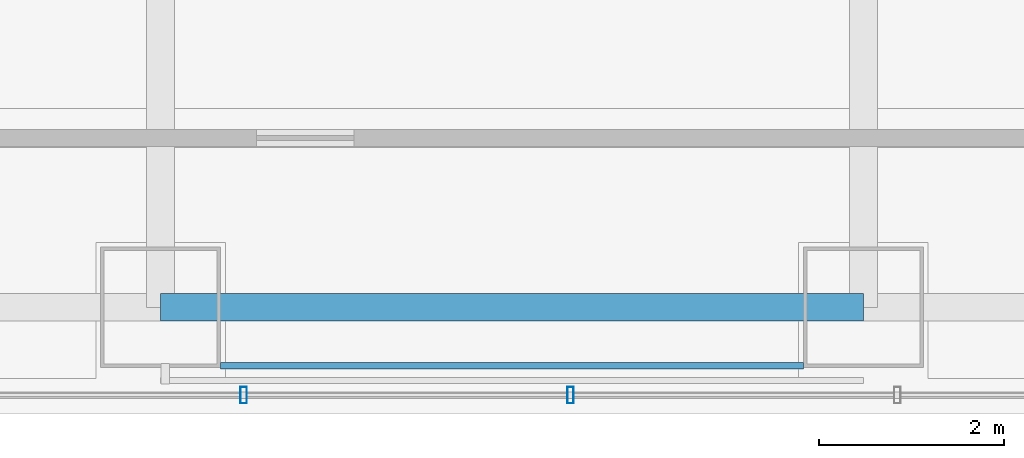
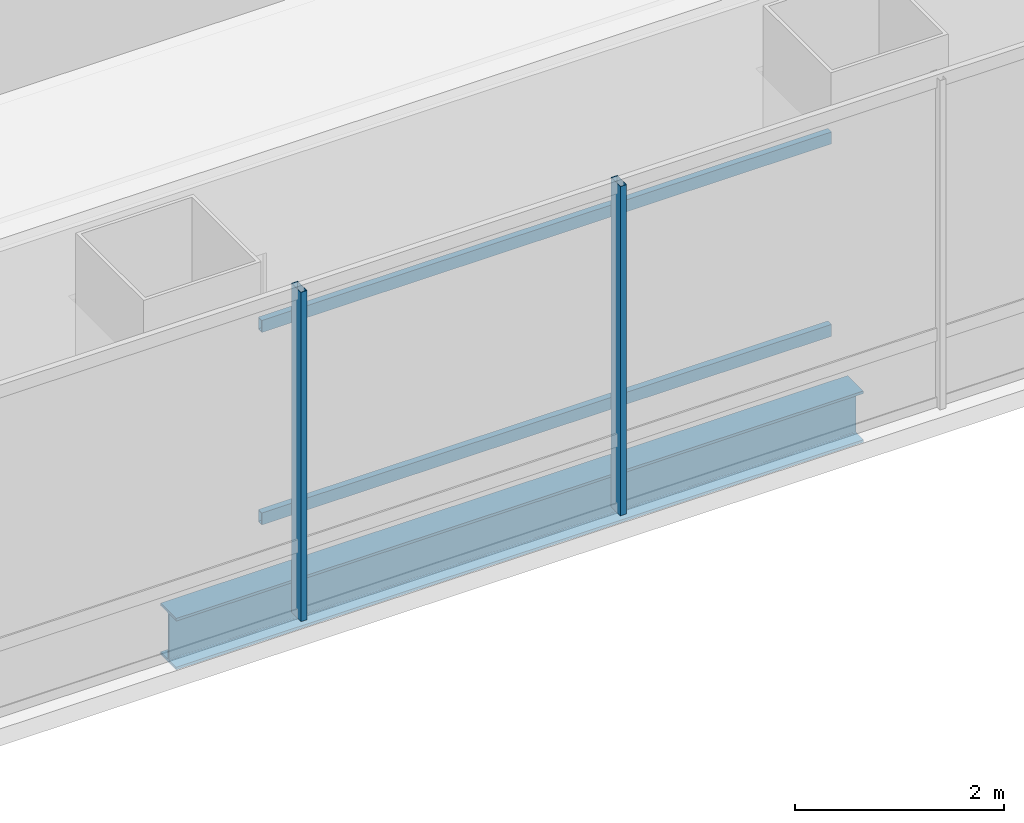
# One storey, part 6 of 40: 4 members, 1 beam, 1 element without a shape of its own.
"""IFC4 building model written with IfcOpenShell, lengths in metres."""

import ifcopenshell
import ifcopenshell.guid

model = None  # the IFC model being written
_history = None  # IfcOwnerHistory: only IFC2X3 demands one
_inside = {}  # id of a spatial element -> (the spatial element, [elements in it])
_under = {}  # id of a project, library or spatial element -> (it, [spatial elements below it])
_declared = {}  # id of a project -> (the project, [libraries it declares])
_typed = {}  # id of a type object -> (the type object, [elements of that type])
_made_of = {}  # id of a material, layer set ... -> (it, [elements and type objects made of it])


def new_model(schema):
    """Start an empty IFC model of exactly this schema.

    Asked for "IFC4X3", IfcOpenShell would pick the latest addendum, in which some entities
    have other attributes; the version numbers below select the first issue.
    IFC2X3 requires an IfcOwnerHistory on every rooted entity: one is made here for all.
    """
    global model, _history
    if schema == "IFC4X3":
        model = ifcopenshell.file(schema_version=(4, 3, 0, 0))
    else:
        model = ifcopenshell.file(schema=schema)
    _inside.clear()
    _under.clear()
    _declared.clear()
    _typed.clear()
    _made_of.clear()
    _history = None
    if model.schema == "IFC2X3":
        org = make("IfcOrganization", Name="unknown")
        user = make(
            "IfcPersonAndOrganization",
            ThePerson=make("IfcPerson", FamilyName="unknown"),
            TheOrganization=org,
        )
        app = make(
            "IfcApplication",
            ApplicationDeveloper=org,
            Version="unknown",
            ApplicationFullName="unknown",
            ApplicationIdentifier="unknown",
        )
        _history = make(
            "IfcOwnerHistory",
            OwningUser=user,
            OwningApplication=app,
            ChangeAction="ADDED",
            CreationDate=0,
        )
    return model


def make(cls, **values):
    """One entity of the class cls with the attributes given. An attribute that is None is left unset."""
    return model.create_entity(
        cls, **{name: value for name, value in values.items() if value is not None}
    )


def rooted(cls, **values):
    """An entity with a GlobalId (a new one), such as an element, a storey or a relation."""
    return make(cls, GlobalId=ifcopenshell.guid.new(), OwnerHistory=_history, **values)


def si_unit(unit_type, name, prefix=None):
    """IfcSIUnit, for example si_unit("LENGTHUNIT", "METRE", prefix="MILLI")."""
    return make("IfcSIUnit", UnitType=unit_type, Prefix=prefix, Name=name)


def assignment(units):
    """IfcUnitAssignment: the units of a project."""
    return None if units is None else make("IfcUnitAssignment", Units=units)


def point(xyz):
    """IfcCartesianPoint."""
    return None if xyz is None else make("IfcCartesianPoint", Coordinates=xyz)


def direction(xyz):
    """IfcDirection."""
    return None if xyz is None else make("IfcDirection", DirectionRatios=xyz)


def frame(location, z_axis=None, x_axis=None):
    """IfcAxis2Placement3D, a coordinate frame: its origin and axes. An axis left out is left unset."""
    return make(
        "IfcAxis2Placement3D",
        Location=point(location),
        Axis=direction(z_axis),
        RefDirection=direction(x_axis),
    )


def frame_2d(location, x_axis=None):
    """IfcAxis2Placement2D, a coordinate frame in the plane: its origin and x axis."""
    return make(
        "IfcAxis2Placement2D", Location=point(location), RefDirection=direction(x_axis)
    )


def origin():
    """The frame at (0, 0, 0) with its axes left unset."""
    return frame((0.0, 0.0, 0.0))


def origin_2d():
    """The frame at (0, 0) in the plane with its x axis left unset."""
    return frame_2d((0.0, 0.0))


def place(relative_to, where):
    """IfcLocalPlacement: puts the frame where relative to a parent placement (None: the world)."""
    return make(
        "IfcLocalPlacement", PlacementRelTo=relative_to, RelativePlacement=where
    )


def context(
    kind, dimensions, precision=None, world=None, true_north=None, identifier=None
):
    """IfcGeometricRepresentationContext, for example the 3D "Model" context."""
    return make(
        "IfcGeometricRepresentationContext",
        ContextIdentifier=identifier,
        ContextType=kind,
        CoordinateSpaceDimension=dimensions,
        Precision=precision,
        WorldCoordinateSystem=world,
        TrueNorth=true_north,
    )


def subcontext(parent, identifier, kind, view, scale=None):
    """IfcGeometricRepresentationSubContext, for example "Body" below "Model"."""
    return make(
        "IfcGeometricRepresentationSubContext",
        ContextIdentifier=identifier,
        ContextType=kind,
        ParentContext=parent,
        TargetScale=scale,
        TargetView=view,
    )


def project(units=None, contexts=None):
    """IfcProject with its units and contexts."""
    return rooted(
        "IfcProject",
        Name="project",
        RepresentationContexts=contexts,
        UnitsInContext=assignment(units),
    )


def spatial(cls, under=None, at=None, **own):
    """A site, building, storey or space (cls), placed at a placement, below another one or the project."""
    s = rooted(cls, ObjectPlacement=at, **own)
    if under is not None:
        _under.setdefault(under.id(), (under, []))[1].append(s)
    return s


def profile(cls, at=None, kind="AREA", **sizes):
    """A parametric profile (cls). Its sizes go by their IFC names, for example OverallWidth=200.0."""
    return make(cls, ProfileType=kind, Position=at, **sizes)


def hollow_rectangle(**sizes):
    """IfcRectangleHollowProfileDef."""
    return profile("IfcRectangleHollowProfileDef", **sizes)


def i_section(**sizes):
    """IfcIShapeProfileDef."""
    return profile("IfcIShapeProfileDef", **sizes)


def extrude(swept, where, along, depth):
    """IfcExtrudedAreaSolid: the profile swept, set in the frame where, extruded along a direction by depth."""
    return make(
        "IfcExtrudedAreaSolid",
        SweptArea=swept,
        Position=where,
        ExtrudedDirection=direction(along),
        Depth=depth,
    )


def shape(context_of_items, identifier, shape_type, items):
    """IfcShapeRepresentation: the items that make up one representation, for example the "Body"."""
    return make(
        "IfcShapeRepresentation",
        ContextOfItems=context_of_items,
        RepresentationIdentifier=identifier,
        RepresentationType=shape_type,
        Items=items,
    )


def material(Name=None, Category=None):
    """IfcMaterial."""
    return make("IfcMaterial", Name=Name, Category=Category)


def material_profile(
    of_material, cross_section, Name=None, Category=None, Priority=None
):
    """IfcMaterialProfile: a cross section and its material."""
    return make(
        "IfcMaterialProfile",
        Name=Name,
        Material=of_material,
        Profile=cross_section,
        Priority=Priority,
        Category=Category,
    )


def profile_set(profiles, Name=None, composite=None):
    """IfcMaterialProfileSet."""
    return make(
        "IfcMaterialProfileSet",
        Name=Name,
        MaterialProfiles=profiles,
        CompositeProfile=composite,
    )


def made_of(thing, what):
    """Note that an element or type object is made of a material, layer set ...; save() writes the relation."""
    if what is not None:
        _made_of.setdefault(what.id(), (what, []))[1].append(thing)
    return thing


def type_object(cls, material=None, **own):
    """A type object (cls), such as IfcWallType, which elements share."""
    return made_of(rooted(cls, **own), material)


def element(
    cls,
    number,
    at=None,
    inside=None,
    cuts=None,
    type_object=None,
    material=None,
    context=None,
    identifier="Body",
    shape_type=None,
    held_by="IfcProductDefinitionShape",
    body=None,
    shapes=None,
    **own,
):
    """One element of the class cls, such as IfcWall. Its Tag is "e" and its number.

    at: its placement. inside: the storey or other place that contains it. cuts: it is an
    opening in that element (IfcRelVoidsElement). A single representation is given by context,
    identifier, shape_type and body (its items); several are given by shapes. held_by: the class
    of the entity that holds the representations. save() writes the other relations.
    """
    e = rooted(cls, Tag="e%d" % number, ObjectPlacement=at, **own)
    if body is not None:
        shapes = [shape(context, identifier, shape_type, body)]
    if shapes is not None:
        e.Representation = make(held_by, Representations=shapes)
    if inside is not None:
        _inside.setdefault(inside.id(), (inside, []))[1].append(e)
    if cuts is not None:
        rooted(
            "IfcRelVoidsElement", RelatingBuildingElement=cuts, RelatedOpeningElement=e
        )
    if type_object is not None:
        _typed.setdefault(type_object.id(), (type_object, []))[1].append(e)
    return made_of(e, material)


def aggregate(whole, parts):
    """IfcRelAggregates: a whole, such as a stair, and the parts it consists of."""
    return rooted("IfcRelAggregates", RelatingObject=whole, RelatedObjects=parts)


def save(model, path):
    """Write the relations noted so far, then the file.

    IfcRelAggregates (storeys below a building ...), IfcRelContainedInSpatialStructure (elements
    in a storey), IfcRelDefinesByType, IfcRelAssociatesMaterial and IfcRelDeclares: one each for
    every whole, place, type object, material and project.
    """
    for whole, parts in _under.values():
        aggregate(whole, parts)
    for where, things in _inside.values():
        rooted(
            "IfcRelContainedInSpatialStructure",
            RelatedElements=things,
            RelatingStructure=where,
        )
    for kind, things in _typed.values():
        rooted("IfcRelDefinesByType", RelatedObjects=things, RelatingType=kind)
    for what, things in _made_of.values():
        rooted("IfcRelAssociatesMaterial", RelatedObjects=things, RelatingMaterial=what)
    for by, libraries in _declared.values():
        rooted("IfcRelDeclares", RelatingContext=by, RelatedDefinitions=libraries)
    model.write(path)


model = new_model("IFC4")

# Units and contexts
model_context = context("Model", 3, precision=1e-05, world=origin(), true_north=direction((0.0, 1.0)))
body_context = subcontext(model_context, "Body", "Model", "MODEL_VIEW")
ifc_project = project(units=[si_unit("LENGTHUNIT", "METRE"), si_unit("AREAUNIT", "SQUARE_METRE"), si_unit("VOLUMEUNIT", "CUBIC_METRE"), si_unit("PLANEANGLEUNIT", "RADIAN"), si_unit("MASSUNIT", "GRAM", prefix="KILO")], contexts=[model_context])

# Site, building, storey
site_placement = place(None, origin())
site = spatial("IfcSite", under=ifc_project, at=site_placement, CompositionType="ELEMENT")
building_placement = place(site_placement, origin())
building = spatial("IfcBuilding", under=site, at=building_placement, Name="Punatoya Terracotta Tower", CompositionType="ELEMENT")
storey_placement = place(building_placement, frame((0.0, 0.0, 271.64990234375)))
storey = spatial("IfcBuildingStorey", under=building, at=storey_placement, Name="L64", CompositionType="ELEMENT", Elevation=271.64990234375)

# Beam
ifc_material_1 = material(Name="Steel S355", Category="steel")
ifc_material_profile_1 = material_profile(ifc_material_1, i_section(OverallWidth=0.300048828125, OverallDepth=0.60009765625, WebThickness=0.015380859375, FlangeThickness=0.030029296875, FilletRadius=0.01806640625, at=origin_2d()))
ifc_profile_set_1 = profile_set([ifc_material_profile_1], Name="Steel S355")
beam_type = type_object("IfcBeamType", Name="BM-PRI-600", PredefinedType="BEAM", material=ifc_profile_set_1)
beam_placement = place(storey_placement, frame((-3.800048828125, -17.5, -0.5), z_axis=(1.0, 0.0, 0.0), x_axis=(0.0, 1.0, 0.0)))
element("IfcBeam", 1, at=beam_placement, inside=storey, type_object=beam_type, Name="BM-L64-RG-S2", PredefinedType="BEAM", context=body_context, shape_type="SweptSolid", body=[
    extrude(i_section(OverallWidth=0.300048828125, OverallDepth=0.60009765625, WebThickness=0.015380859375, FlangeThickness=0.030029296875, FilletRadius=0.01806640625, at=origin_2d()), origin(), (0.0, 0.0, 1.0), 7.60009765625),
])

# Curtain wall, members
ifc_material_2 = material(Name="Aluminium 6063-T6 + Double Low-E Glass", Category="aluminium")
curtain_wall_type = type_object("IfcCurtainWallType", Name="CW-M3", PredefinedType="NOTDEFINED", material=ifc_material_2)
curtain_wall_placement = place(storey_placement, origin())
curtain_wall = element("IfcCurtainWall", 2, at=curtain_wall_placement, inside=storey, type_object=curtain_wall_type, Name="L64 Curtain Wall CW-L64-S01-1", PredefinedType="NOTDEFINED")
ifc_material_3 = material(Name="Aluminium 6063-T6", Category="aluminium")
ifc_material_profile_2 = material_profile(ifc_material_3, hollow_rectangle(XDim=0.070068359375, YDim=0.179931640625, WallThickness=0.00390625, at=origin_2d()))
ifc_profile_set_2 = profile_set([ifc_material_profile_2], Name="Aluminium 6063-T6")
member_type_1 = type_object("IfcMemberType", Name="CW-MUL-M3", PredefinedType="MULLION", material=ifc_profile_set_2)
member_1_placement = place(storey_placement, frame((-2.90087890625, -18.449951171875, 0.0), z_axis=(0.0, 0.0, 1.0), x_axis=(1.0, 0.0, 0.0)))
member_1 = element("IfcMember", 3, at=member_1_placement, type_object=member_type_1, Name="CW-L64-S01-1 Mullion 04", PredefinedType="MULLION", context=body_context, shape_type="SweptSolid", body=[
    extrude(hollow_rectangle(XDim=0.070068359375, YDim=0.179931640625, WallThickness=0.00390625, at=origin_2d()), origin(), (0.0, 0.0, 1.0), 3.85009765625),
])
member_2_placement = place(storey_placement, frame((0.633056640625, -18.449951171875, 0.0), z_axis=(0.0, 0.0, 1.0), x_axis=(1.0, 0.0, 0.0)))
member_2 = element("IfcMember", 4, at=member_2_placement, type_object=member_type_1, Name="CW-L64-S01-1 Mullion 05", PredefinedType="MULLION", context=body_context, shape_type="SweptSolid", body=[
    extrude(hollow_rectangle(XDim=0.070068359375, YDim=0.179931640625, WallThickness=0.00390625, at=origin_2d()), origin(), (0.0, 0.0, 1.0), 3.85009765625),
])
aggregate(curtain_wall, [member_1, member_2])

# Members
ifc_material_profile_3 = material_profile(ifc_material_1, hollow_rectangle(XDim=0.070068359375, YDim=0.139892578125, WallThickness=0.006103515625, at=origin_2d()))
ifc_profile_set_3 = profile_set([ifc_material_profile_3], Name="Steel S355")
member_type_2 = type_object("IfcMemberType", Name="MEM-BAG-RAIL", PredefinedType="USERDEFINED", material=ifc_profile_set_3)
for number, where, z_axis, x_axis, name in (
    (5, (-3.150390625, -18.132080078125, 1.050048828125), (1.0, 0.0, 0.0), (0.0, 1.0, 0.0), "L64 Terracotta Baguette Carrier Rail BAG-L64-S-R1"),
    (6, (-3.150390625, -18.132080078125, 3.300048828125), (1.0, 0.0, 0.0), (0.0, 1.0, 0.0), "L64 Terracotta Baguette Carrier Rail BAG-L64-S-R2"),
):
    element("IfcMember", number, at=place(storey_placement, frame(where, z_axis=z_axis, x_axis=x_axis)), inside=storey, type_object=member_type_2, Name=name, ObjectType="BAGUETTE", PredefinedType="USERDEFINED", context=body_context, shape_type="SweptSolid", body=[
        extrude(hollow_rectangle(XDim=0.070068359375, YDim=0.139892578125, WallThickness=0.006103515625, at=origin_2d()), origin(), (0.0, 0.0, 1.0), 6.30078125),
    ])

save(model, "model.ifc")
